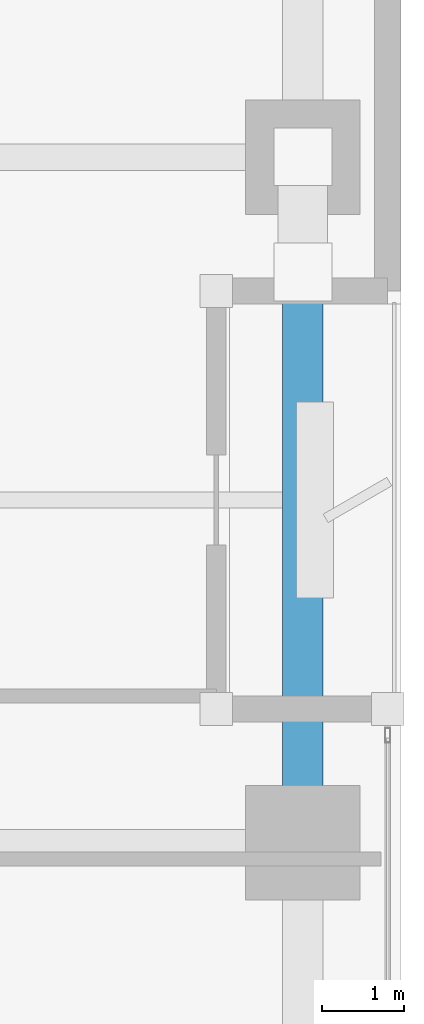
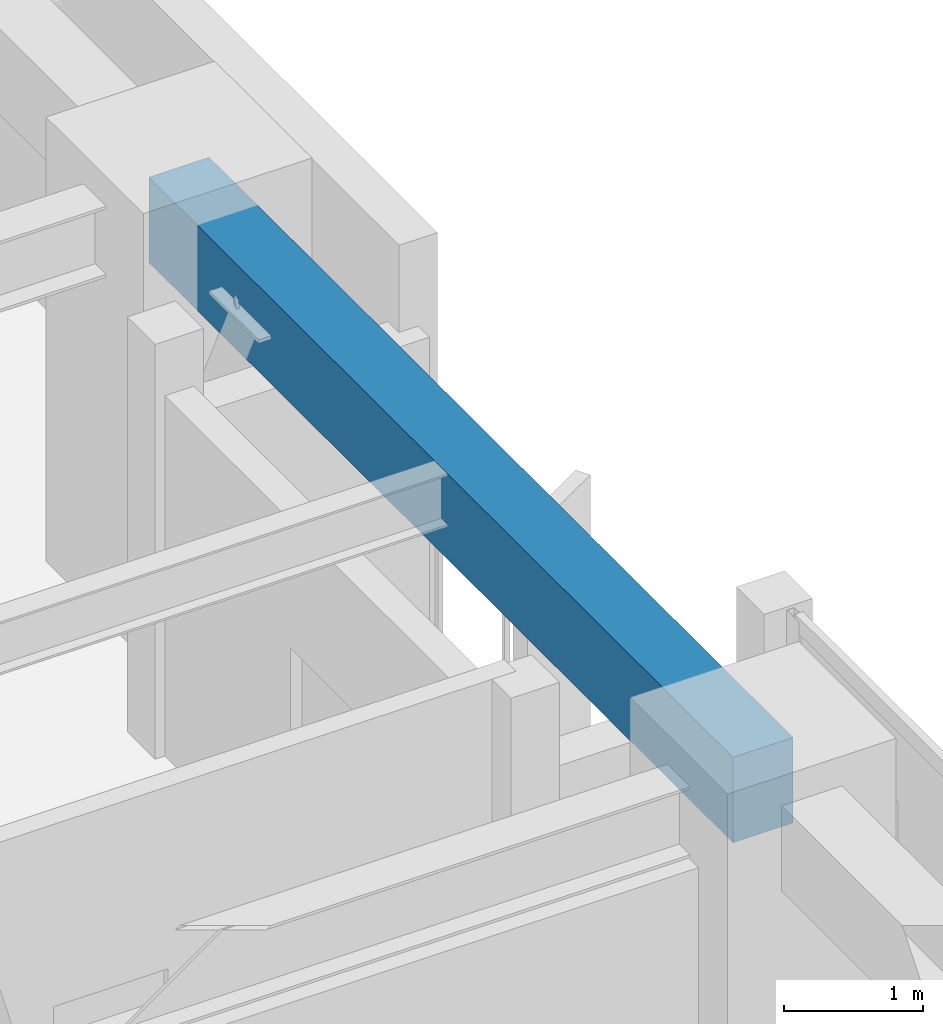
# One storey, part 7 of 24: 1 beam.
"""IFC4 building model written with IfcOpenShell, lengths in metres."""

from ifc_helpers import new_model, si_unit, direction, frame, origin, origin_2d, place, context, subcontext, project, spatial, rectangle, extrude, material, material_profile, profile_set, type_object, element, save


model = new_model("IFC4")

# Units and contexts
model_context = context("Model", 3, precision=1e-05, world=origin(), true_north=direction((0.0, 1.0)))
body_context = subcontext(model_context, "Body", "Model", "MODEL_VIEW")
ifc_project = project(units=[si_unit("LENGTHUNIT", "METRE"), si_unit("AREAUNIT", "SQUARE_METRE"), si_unit("VOLUMEUNIT", "CUBIC_METRE"), si_unit("PLANEANGLEUNIT", "RADIAN"), si_unit("MASSUNIT", "GRAM", prefix="KILO")], contexts=[model_context])

# Site, building, storey
site_placement = place(None, origin())
site = spatial("IfcSite", under=ifc_project, at=site_placement, CompositionType="ELEMENT")
building_placement = place(site_placement, origin())
building = spatial("IfcBuilding", under=site, at=building_placement, Name="Kiyonajd Concourse Tower", CompositionType="ELEMENT")
storey_placement = place(building_placement, frame((0.0, 0.0, 137.699951171875)))
storey = spatial("IfcBuildingStorey", under=building, at=storey_placement, Name="L35", CompositionType="ELEMENT", Elevation=137.699951171875)

# Beam
ifc_material = material(Name="Precast concrete C50/60", Category="concrete")
ifc_material_profile = material_profile(ifc_material, rectangle(XDim=0.5, YDim=0.75, at=origin_2d()), Name="RCBM-500x750")
ifc_profile_set = profile_set([ifc_material_profile], Name="Precast concrete C50/60")
beam_type = type_object("IfcBeamType", Name="BM-SPAN-RC", PredefinedType="SPANDREL", material=ifc_profile_set)
beam_placement = place(storey_placement, frame((69.60009765625, 36.0, 3.26513671875), z_axis=(0.0, 1.0, 0.0), x_axis=(-1.0, 0.0, 0.0)))
element("IfcBeam", 1, at=beam_placement, inside=storey, type_object=beam_type, Name="L35 Perimeter Bundled Tube Spandrel", PredefinedType="SPANDREL", context=body_context, shape_type="SweptSolid", body=[
    extrude(rectangle(XDim=0.5, YDim=0.75, at=origin_2d()), origin(), (0.0, 0.0, 1.0), 8.39990234375),
])

save(model, "model.ifc")
